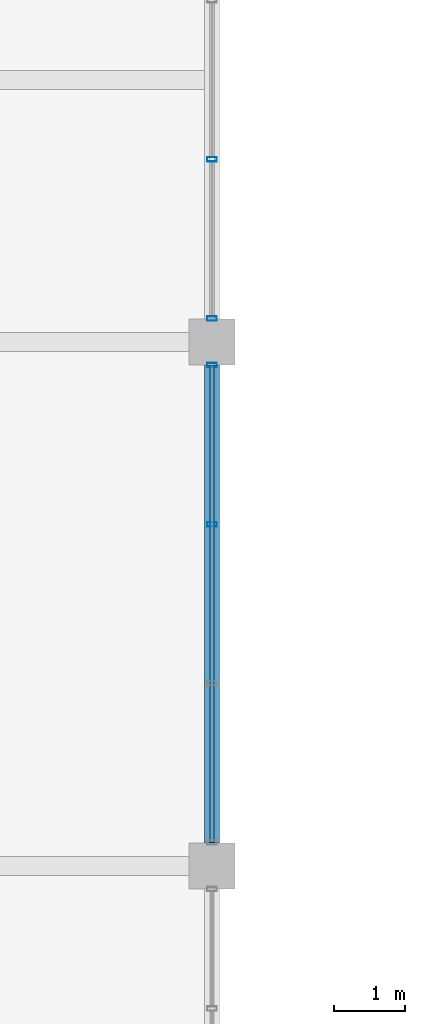
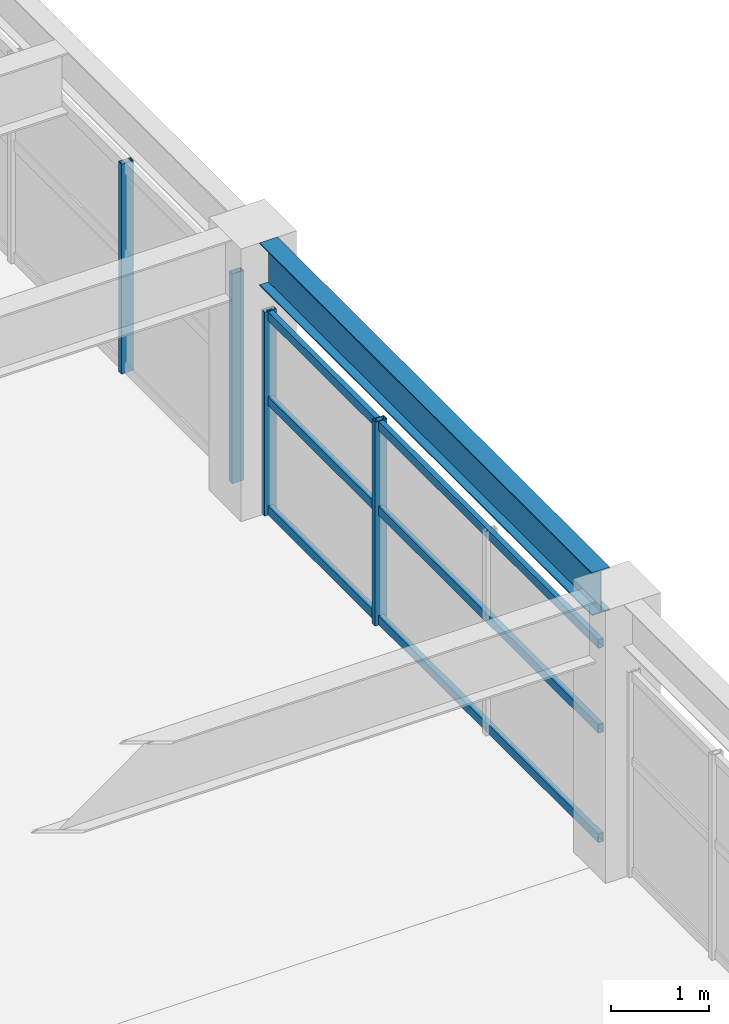
# One storey, part 51 of 93: 7 members, 1 beam, 2 elements without a shape of their own.
"""IFC4 building model written with IfcOpenShell, lengths in metres."""

from ifc_helpers import new_model, si_unit, direction, frame, origin, origin_2d, place, context, subcontext, project, spatial, hollow_rectangle, i_section, extrude, material, material_profile, profile_set, type_object, element, aggregate, save


model = new_model("IFC4")

# Units and contexts
model_context = context("Model", 3, precision=1e-05, world=origin(), true_north=direction((0.0, 1.0)))
body_context = subcontext(model_context, "Body", "Model", "MODEL_VIEW")
ifc_project = project(units=[si_unit("LENGTHUNIT", "METRE"), si_unit("AREAUNIT", "SQUARE_METRE"), si_unit("VOLUMEUNIT", "CUBIC_METRE"), si_unit("PLANEANGLEUNIT", "RADIAN"), si_unit("MASSUNIT", "GRAM", prefix="KILO")], contexts=[model_context])

# Site, building, storey
site_placement = place(None, origin())
site = spatial("IfcSite", under=ifc_project, at=site_placement, CompositionType="ELEMENT")
building_placement = place(site_placement, origin())
building = spatial("IfcBuilding", under=site, at=building_placement, Name="Cimatlan Art Gallery", CompositionType="ELEMENT")
storey_placement = place(building_placement, frame((0.0, 0.0, 13.800048828125)))
storey = spatial("IfcBuildingStorey", under=building, at=storey_placement, Name="L03", CompositionType="ELEMENT", Elevation=13.800048828125)

# Beam
ifc_material_1 = material(Name="Steel ASTM A992 Grade 50", Category="steel")
ifc_material_profile_1 = material_profile(ifc_material_1, i_section(OverallWidth=0.2099609375, OverallDepth=0.532958984375, WebThickness=0.01025390625, FlangeThickness=0.015625, at=origin_2d()), Name="W21X62")
ifc_profile_set_1 = profile_set([ifc_material_profile_1], Name="Steel ASTM A992 Grade 50")
beam_type = type_object("IfcBeamType", Name="BM-STL-W21X62", PredefinedType="BEAM", material=ifc_profile_set_1)
beam_placement = place(storey_placement, frame((99.199951171875, 61.22509765625, 3.113525390625), z_axis=(0.0, 1.0, 0.0), x_axis=(-1.0, 0.0, 0.0)))
element("IfcBeam", 1, at=beam_placement, inside=storey, type_object=beam_type, Name="BM-Y-L03-12-08", PredefinedType="BEAM", context=body_context, shape_type="SweptSolid", body=[
    extrude(i_section(OverallWidth=0.2099609375, OverallDepth=0.532958984375, WebThickness=0.01025390625, FlangeThickness=0.015625, at=origin_2d()), origin(), (0.0, 0.0, 1.0), 6.75),
])

# Curtain wall, members
ifc_material_2 = material(Name="Anodised bronze unitised curtain wall")
curtain_wall_type_1 = type_object("IfcCurtainWallType", Name="CW-V-06742X02528-B3", PredefinedType="NOTDEFINED", material=ifc_material_2)
curtain_wall_1_placement = place(storey_placement, origin())
curtain_wall_1 = element("IfcCurtainWall", 2, at=curtain_wall_1_placement, inside=storey, type_object=curtain_wall_type_1, Name="CW-L03-11-08-E", PredefinedType="NOTDEFINED")
ifc_material_3 = material(Name="Anodised bronze aluminium 6063-T6", Category="aluminium")
ifc_material_profile_2 = material_profile(ifc_material_3, hollow_rectangle(XDim=0.06494140625, YDim=0.139892578125, WallThickness=0.00390625, at=origin_2d()), Name="ALU65X140X4")
ifc_profile_set_2 = profile_set([ifc_material_profile_2], Name="Anodised bronze aluminium 6063-T6")
member_type_1 = type_object("IfcMemberType", Name="CW-MUL-140", PredefinedType="MULLION", material=ifc_profile_set_2)
member_1_placement = place(storey_placement, frame((99.199951171875, 67.970947265625, 0.0), z_axis=(0.0, 0.0, 1.0), x_axis=(0.0, 1.0, 0.0)))
member_1 = element("IfcMember", 3, at=member_1_placement, type_object=member_type_1, Name="CW-L03-11-08-E-M1", PredefinedType="MULLION", context=body_context, shape_type="SweptSolid", body=[
    extrude(hollow_rectangle(XDim=0.06494140625, YDim=0.139892578125, WallThickness=0.00390625, at=origin_2d()), origin(), (0.0, 0.0, 1.0), 2.52783203125),
])
member_2_placement = place(storey_placement, frame((99.199951171875, 65.7236328125, 0.0), z_axis=(0.0, 0.0, 1.0), x_axis=(0.0, 1.0, 0.0)))
member_2 = element("IfcMember", 4, at=member_2_placement, type_object=member_type_1, Name="CW-L03-11-08-E-M2", PredefinedType="MULLION", context=body_context, shape_type="SweptSolid", body=[
    extrude(hollow_rectangle(XDim=0.06494140625, YDim=0.139892578125, WallThickness=0.00390625, at=origin_2d()), origin(), (0.0, 0.0, 1.0), 2.52783203125),
])

curtain_wall_type_2 = type_object("IfcCurtainWallType", Name="CW-V-06742X02603-B3", PredefinedType="NOTDEFINED", material=ifc_material_2)
curtain_wall_2_placement = place(storey_placement, origin())
curtain_wall_2 = element("IfcCurtainWall", 5, at=curtain_wall_2_placement, inside=storey, type_object=curtain_wall_type_2, Name="CW-L03-11-09-E", PredefinedType="NOTDEFINED")
member_3_placement = place(storey_placement, frame((99.199951171875, 70.876220703125, 0.0), z_axis=(0.0, 0.0, 1.0), x_axis=(0.0, 1.0, 0.0)))
member_3 = element("IfcMember", 6, at=member_3_placement, type_object=member_type_1, Name="CW-L03-11-09-E-M3", PredefinedType="MULLION", context=body_context, shape_type="SweptSolid", body=[
    extrude(hollow_rectangle(XDim=0.06494140625, YDim=0.139892578125, WallThickness=0.00390625, at=origin_2d()), origin(), (0.0, 0.0, 1.0), 2.60302734375),
])
member_4_placement = place(storey_placement, frame((99.199951171875, 68.62890625, 0.0), z_axis=(0.0, 0.0, 1.0), x_axis=(0.0, 1.0, 0.0)))
member_4 = element("IfcMember", 7, at=member_4_placement, type_object=member_type_1, Name="CW-L03-11-09-E-M4", PredefinedType="MULLION", context=body_context, shape_type="SweptSolid", body=[
    extrude(hollow_rectangle(XDim=0.06494140625, YDim=0.139892578125, WallThickness=0.00390625, at=origin_2d()), origin(), (0.0, 0.0, 1.0), 2.60302734375),
])
aggregate(curtain_wall_2, [member_3, member_4])

# Member
ifc_material_profile_3 = material_profile(ifc_material_3, hollow_rectangle(XDim=0.06005859375, YDim=0.110107421875, WallThickness=0.00341796875, at=origin_2d()), Name="ALU60X110X3")
ifc_profile_set_3 = profile_set([ifc_material_profile_3], Name="Anodised bronze aluminium 6063-T6")
member_type_2 = type_object("IfcMemberType", Name="CW-TRN-110", PredefinedType="USERDEFINED", material=ifc_profile_set_3)
member_5_placement = place(storey_placement, frame((99.199951171875, 67.970947265625, 0.06005859375), z_axis=(0.0, -1.0, 0.0), x_axis=(1.0, 0.0, 0.0)))
member_5 = element("IfcMember", 8, at=member_5_placement, type_object=member_type_2, Name="CW-L03-11-08-E-T1", ObjectType="TRANSOM", PredefinedType="USERDEFINED", context=body_context, shape_type="SweptSolid", body=[
    extrude(hollow_rectangle(XDim=0.06005859375, YDim=0.110107421875, WallThickness=0.00341796875, at=origin_2d()), origin(), (0.0, 0.0, 1.0), 6.741943359375),
])

member_6_placement = place(storey_placement, frame((99.199951171875, 67.970947265625, 1.415771484375), z_axis=(0.0, -1.0, 0.0), x_axis=(1.0, 0.0, 0.0)))
member_6 = element("IfcMember", 9, at=member_6_placement, type_object=member_type_2, Name="CW-L03-11-08-E-T2", ObjectType="TRANSOM", PredefinedType="USERDEFINED", context=body_context, shape_type="SweptSolid", body=[
    extrude(hollow_rectangle(XDim=0.06005859375, YDim=0.110107421875, WallThickness=0.00341796875, at=origin_2d()), origin(), (0.0, 0.0, 1.0), 6.741943359375),
])

member_7_placement = place(storey_placement, frame((99.199951171875, 67.970947265625, 2.468017578125), z_axis=(0.0, -1.0, 0.0), x_axis=(1.0, 0.0, 0.0)))
member_7 = element("IfcMember", 10, at=member_7_placement, type_object=member_type_2, Name="CW-L03-11-08-E-T3", ObjectType="TRANSOM", PredefinedType="USERDEFINED", context=body_context, shape_type="SweptSolid", body=[
    extrude(hollow_rectangle(XDim=0.06005859375, YDim=0.110107421875, WallThickness=0.00341796875, at=origin_2d()), origin(), (0.0, 0.0, 1.0), 6.741943359375),
])

aggregate(curtain_wall_1, [member_1, member_2, member_5, member_6, member_7])

save(model, "model.ifc")
